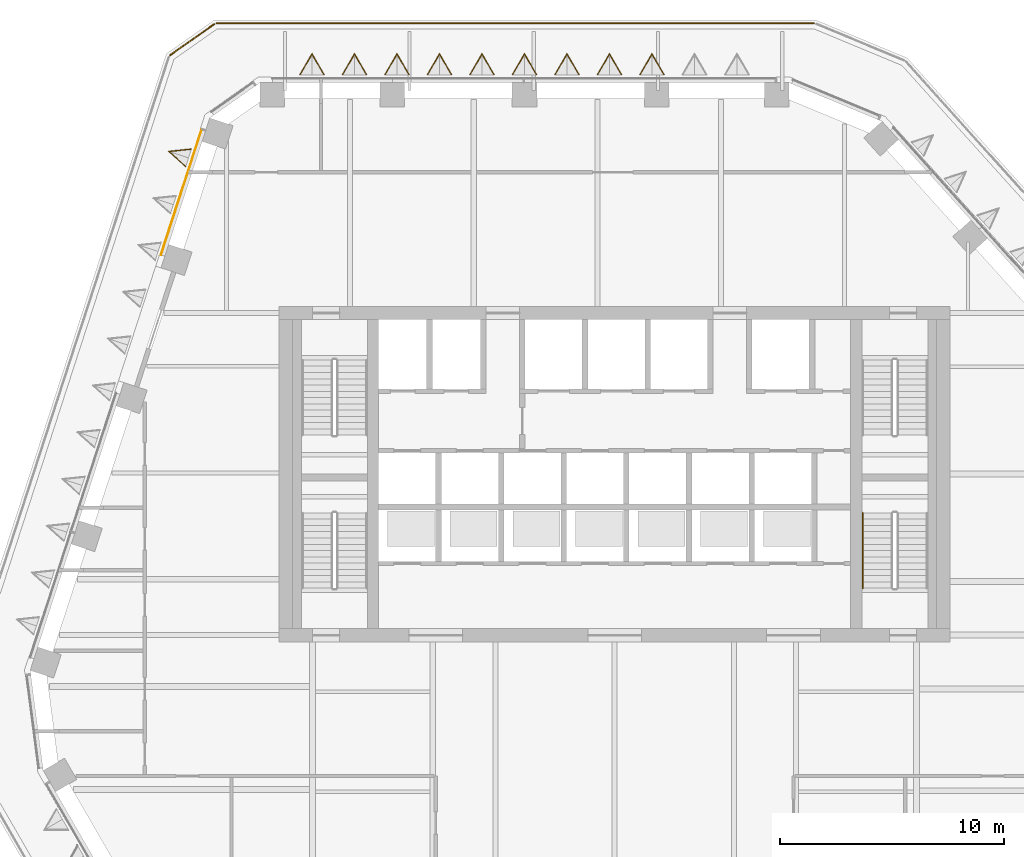
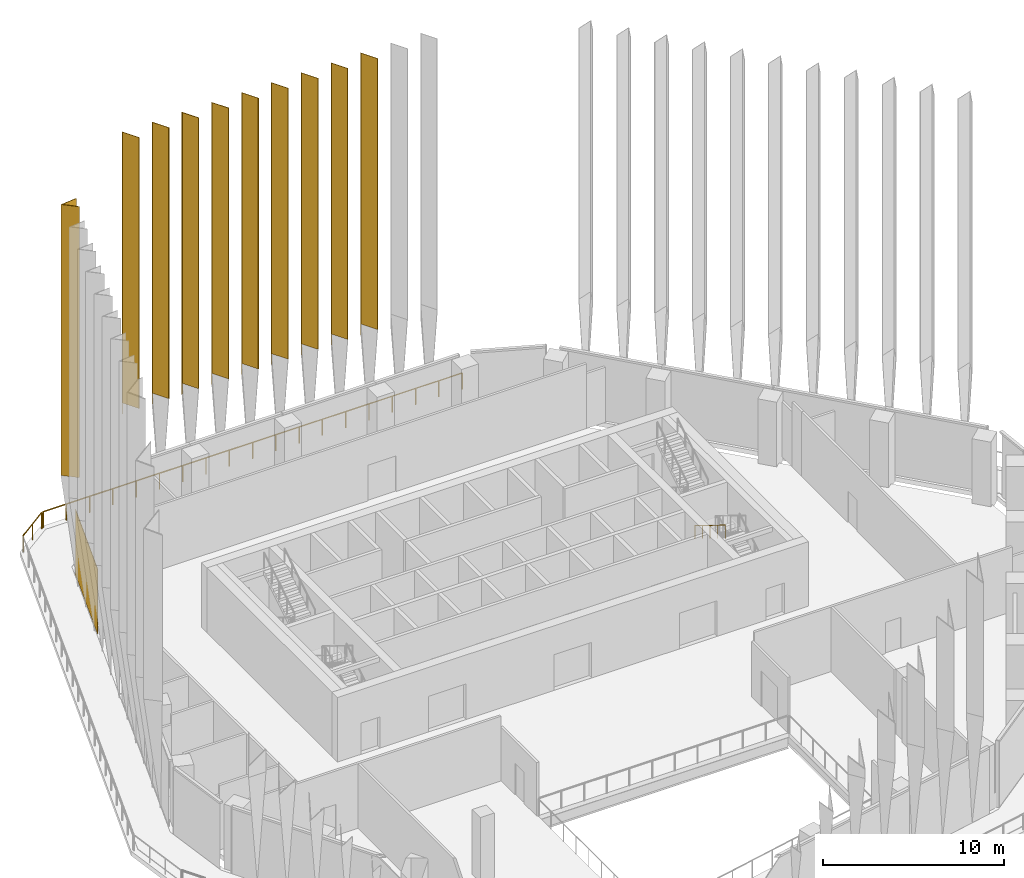
# One storey, part 16 of 21: 11 coverings, 3 railings, 1 element without a shape of its own.
"""IFC4 building model written with IfcOpenShell, lengths in metres."""

from ifc_helpers import new_model, si_unit, direction, frame, origin, origin_2d, place, context, subcontext, project, spatial, polyline, rectangle, circle, outline, extrude, material, layer, layer_set, material_profile, profile_set, type_object, element, aggregate, save


model = new_model("IFC4")

# Units and contexts
model_context = context("Model", 3, precision=1e-05, world=origin(), true_north=direction((0.0, 1.0)))
body_context = subcontext(model_context, "Body", "Model", "MODEL_VIEW")
ifc_project = project(units=[si_unit("LENGTHUNIT", "METRE"), si_unit("AREAUNIT", "SQUARE_METRE"), si_unit("VOLUMEUNIT", "CUBIC_METRE"), si_unit("PLANEANGLEUNIT", "RADIAN"), si_unit("MASSUNIT", "GRAM", prefix="KILO")], contexts=[model_context])

# Site, building, storey
site_placement = place(None, origin())
site = spatial("IfcSite", under=ifc_project, at=site_placement, CompositionType="ELEMENT")
building_placement = place(site_placement, origin())
building = spatial("IfcBuilding", under=site, at=building_placement, Name="Isthmus Gate Tower", CompositionType="ELEMENT")
storey_placement = place(building_placement, frame((0.0, 0.0, 211.800048828125)))
storey = spatial("IfcBuildingStorey", under=building, at=storey_placement, Name="L53", CompositionType="ELEMENT", Elevation=211.800048828125)

# Curtain wall, covering
ifc_material_1 = material(Name="Aluminium, pale champagne anodised", Category="aluminium")
ifc_layer_1 = layer(ifc_material_1, 0.199951171875)
ifc_layer_set_1 = layer_set([ifc_layer_1], Name="CW-1 UNITISED CURTAIN WALL 200 DEEP")
curtain_wall_type = type_object("IfcCurtainWallType", Name="CW-1 UNITISED CURTAIN WALL 200 DEEP", PredefinedType="NOTDEFINED", material=ifc_layer_set_1)
curtain_wall_placement = place(storey_placement, origin())
curtain_wall = element("IfcCurtainWall", 1, at=curtain_wall_placement, inside=storey, type_object=curtain_wall_type, Name="CW-1 NW L53", PredefinedType="NOTDEFINED")
ifc_material_2 = material(Name="Aluminium composite panel, pale champagne anodised", Category="aluminium")
ifc_layer_2 = layer(ifc_material_2, 0.031982421875)
ifc_layer_set_2 = layer_set([ifc_layer_2], Name="CW-1 PALE METAL PANEL 32")
covering_type_1 = type_object("IfcCoveringType", Name="CW-1 PALE METAL PANEL 32", PredefinedType="CLADDING", material=ifc_layer_set_2)
covering_1_placement = place(storey_placement, frame((-19.37646484375, 20.0947265625, 0.0), z_axis=(0.0, 0.0, 1.0), x_axis=(-0.309016994375, -0.951056516295, 0.0)))
covering_1 = element("IfcCovering", 2, at=covering_1_placement, type_object=covering_type_1, Name="CW-1 pale metal panel", PredefinedType="CLADDING", context=body_context, shape_type="SweptSolid", body=[
    extrude(rectangle(XDim=5.8818359375, YDim=0.031982421875, at=origin_2d()), origin(), (0.0, 0.0, 1.0), 4.3701171875),
])
aggregate(curtain_wall, [covering_1])

# Coverings
ifc_material_3 = material(Name="Structural steel ASTM A572 Gr 50, white paint system", Category="steel")
ifc_material_profile_1 = material_profile(ifc_material_3, outline(polyline([(0.0, -0.427490234375), (0.9599609375, 0.0), (0.0, 0.427490234375), (0.0, 0.39453125), (0.88623046875, 0.0), (0.0, -0.39453125), (0.0, -0.427490234375)])), Name="V960")
ifc_profile_set_1 = profile_set([ifc_material_profile_1], Name="Structural steel ASTM A572 Gr 50, white paint system")
covering_type_2 = type_object("IfcCoveringType", Name="FIN V 960 DEEP", PredefinedType="CLADDING", material=ifc_profile_set_1)
covering_2_placement = place(storey_placement, frame((-19.050048828125, 21.636474609375, 7.75), z_axis=(0.0, 0.0, 1.0), x_axis=(-0.951056516295, 0.309016994375, 0.0)))
element("IfcCovering", 3, at=covering_2_placement, inside=storey, type_object=covering_type_2, Name="FIN", ObjectType="FIN", PredefinedType="CLADDING", context=body_context, shape_type="SweptSolid", body=[
    extrude(outline(polyline([(0.0, -0.427490234375), (0.9599609375, 0.0), (0.0, 0.427490234375), (0.0, 0.39453125), (0.88623046875, 0.0), (0.0, -0.39453125), (0.0, -0.427490234375)])), origin(), (0.0, 0.0, 1.0), 18.25),
])
ifc_material_4 = material(Name="Structural steel ASTM A572 Gr 50, white paint system", Category="steel")
ifc_material_profile_2 = material_profile(ifc_material_4, outline(polyline([(0.0, -0.55419921875), (0.9599609375, 0.0), (0.0, 0.55419921875), (0.0, 0.51953125), (0.89990234375, 0.0), (0.0, -0.51953125), (0.0, -0.55419921875)])), Name="V960W")
ifc_profile_set_2 = profile_set([ifc_material_profile_2], Name="Structural steel ASTM A572 Gr 50, white paint system")
covering_type_3 = type_object("IfcCoveringType", Name="FIN V 960 DEEP WIDE", PredefinedType="CLADDING", material=ifc_profile_set_2)
for number, where, z_axis, x_axis, name in (
    (4, (1.669921875, 25.35009765625, 7.75), (0.0, 0.0, 1.0), (0.0, 1.0, 0.0), "FIN"),
    (5, (-0.22998046875, 25.35009765625, 7.75), (0.0, 0.0, 1.0), (0.0, 1.0, 0.0), "FIN"),
    (6, (-2.130126953125, 25.35009765625, 7.75), (0.0, 0.0, 1.0), (0.0, 1.0, 0.0), "FIN"),
    (7, (-4.030029296875, 25.35009765625, 7.75), (0.0, 0.0, 1.0), (0.0, 1.0, 0.0), "FIN"),
    (8, (-5.93017578125, 25.35009765625, 7.75), (0.0, 0.0, 1.0), (0.0, 1.0, 0.0), "FIN"),
    (9, (-7.830078125, 25.35009765625, 7.75), (0.0, 0.0, 1.0), (0.0, 1.0, 0.0), "FIN"),
    (10, (-9.72998046875, 25.35009765625, 7.75), (0.0, 0.0, 1.0), (0.0, 1.0, 0.0), "FIN"),
    (11, (-11.630126953125, 25.35009765625, 7.75), (0.0, 0.0, 1.0), (0.0, 1.0, 0.0), "FIN"),
    (12, (-13.530029296875, 25.35009765625, 7.75), (0.0, 0.0, 1.0), (0.0, 1.0, 0.0), "FIN"),
):
    element("IfcCovering", number, at=place(storey_placement, frame(where, z_axis=z_axis, x_axis=x_axis)), inside=storey, type_object=covering_type_3, Name=name, ObjectType="FIN", PredefinedType="CLADDING", context=body_context, shape_type="SweptSolid", body=[
        extrude(outline(polyline([(0.0, -0.55419921875), (0.9599609375, 0.0), (0.0, 0.55419921875), (0.0, 0.51953125), (0.89990234375, 0.0), (0.0, -0.51953125), (0.0, -0.55419921875)])), origin(), (0.0, 0.0, 1.0), 18.25),
    ])

# Railings
ifc_material_5 = material(Name="Stainless steel posts and toughened laminated glass", Category="steel")
railing_type_1 = type_object("IfcRailingType", Name="GUARD 1100 LEDGE GLASS", PredefinedType="GUARDRAIL", material=ifc_material_5)
railing_1_placement = place(storey_placement, frame((-19.868896484375, 26.23046875, 0.0)))
element("IfcRailing", 13, at=railing_1_placement, inside=storey, type_object=railing_type_1, Name="LEDGE GUARD", PredefinedType="GUARDRAIL", context=body_context, shape_type="SweptSolid", body=[
    extrude(circle(Radius=0.02490234375, at=origin_2d()), frame((0.0, 0.0, 1.0751953125), z_axis=(0.81788596912, 0.575380345091, 0.0), x_axis=(-0.575380345091, 0.81788596912, 0.0)), (0.0, 0.0, 1.0), 2.4072265625),
    extrude(circle(Radius=0.02490234375, at=origin_2d()), origin(), (0.0, 0.0, 1.0), 1.050048828125),
    extrude(circle(Radius=0.02490234375, at=origin_2d()), frame((0.984375, 0.6923828125, 0.0)), (0.0, 0.0, 1.0), 1.050048828125),
    extrude(circle(Radius=0.02490234375, at=origin_2d()), frame((1.96875, 1.385009765625, 0.0)), (0.0, 0.0, 1.0), 1.050048828125),
])
railing_2_placement = place(storey_placement, frame((-17.791259765625, 27.64990234375, 0.0)))
element("IfcRailing", 14, at=railing_2_placement, inside=storey, type_object=railing_type_1, Name="LEDGE GUARD", PredefinedType="GUARDRAIL", context=body_context, shape_type="SweptSolid", body=[
    extrude(circle(Radius=0.02490234375, at=origin_2d()), frame((0.0, 0.0, 1.0751953125), z_axis=(1.0, 0.0, 0.0), x_axis=(0.0, 1.0, 0.0)), (0.0, 0.0, 1.0), 26.699951171875),
    extrude(circle(Radius=0.02490234375, at=origin_2d()), origin(), (0.0, 0.0, 1.0), 1.050048828125),
    extrude(circle(Radius=0.02490234375, at=origin_2d()), frame((1.4833984375, 0.0, 0.0)), (0.0, 0.0, 1.0), 1.050048828125),
    extrude(circle(Radius=0.02490234375, at=origin_2d()), frame((2.966552734375, 0.0, 0.0)), (0.0, 0.0, 1.0), 1.050048828125),
    extrude(circle(Radius=0.02490234375, at=origin_2d()), frame((4.449951171875, 0.0, 0.0)), (0.0, 0.0, 1.0), 1.050048828125),
    extrude(circle(Radius=0.02490234375, at=origin_2d()), frame((5.933349609375, 0.0, 0.0)), (0.0, 0.0, 1.0), 1.050048828125),
    extrude(circle(Radius=0.02490234375, at=origin_2d()), frame((7.416748046875, 0.0, 0.0)), (0.0, 0.0, 1.0), 1.050048828125),
    extrude(circle(Radius=0.02490234375, at=origin_2d()), frame((8.89990234375, 0.0, 0.0)), (0.0, 0.0, 1.0), 1.050048828125),
    extrude(circle(Radius=0.02490234375, at=origin_2d()), frame((10.38330078125, 0.0, 0.0)), (0.0, 0.0, 1.0), 1.050048828125),
    extrude(circle(Radius=0.02490234375, at=origin_2d()), frame((11.86669921875, 0.0, 0.0)), (0.0, 0.0, 1.0), 1.050048828125),
    extrude(circle(Radius=0.02490234375, at=origin_2d()), frame((13.35009765625, 0.0, 0.0)), (0.0, 0.0, 1.0), 1.050048828125),
    extrude(circle(Radius=0.02490234375, at=origin_2d()), frame((14.833251953125, 0.0, 0.0)), (0.0, 0.0, 1.0), 1.050048828125),
    extrude(circle(Radius=0.02490234375, at=origin_2d()), frame((16.316650390625, 0.0, 0.0)), (0.0, 0.0, 1.0), 1.050048828125),
    extrude(circle(Radius=0.02490234375, at=origin_2d()), frame((17.800048828125, 0.0, 0.0)), (0.0, 0.0, 1.0), 1.050048828125),
    extrude(circle(Radius=0.02490234375, at=origin_2d()), frame((19.283203125, 0.0, 0.0)), (0.0, 0.0, 1.0), 1.050048828125),
    extrude(circle(Radius=0.02490234375, at=origin_2d()), frame((20.7666015625, 0.0, 0.0)), (0.0, 0.0, 1.0), 1.050048828125),
    extrude(circle(Radius=0.02490234375, at=origin_2d()), frame((22.25, 0.0, 0.0)), (0.0, 0.0, 1.0), 1.050048828125),
    extrude(circle(Radius=0.02490234375, at=origin_2d()), frame((23.7333984375, 0.0, 0.0)), (0.0, 0.0, 1.0), 1.050048828125),
    extrude(circle(Radius=0.02490234375, at=origin_2d()), frame((25.216552734375, 0.0, 0.0)), (0.0, 0.0, 1.0), 1.050048828125),
    extrude(circle(Radius=0.02490234375, at=origin_2d()), frame((26.699951171875, 0.0, 0.0)), (0.0, 0.0, 1.0), 1.050048828125),
])
ifc_material_6 = material(Name="Stainless steel handrail", Category="steel")
railing_type_2 = type_object("IfcRailingType", Name="STAIR HANDRAIL 900", PredefinedType="HANDRAIL", material=ifc_material_6)
railing_3_placement = place(storey_placement, frame((11.10009765625, 5.760009765625, 2.423095703125)))
element("IfcRailing", 15, at=railing_3_placement, inside=storey, type_object=railing_type_2, Name="L53 ST8 stair handrail 2", PredefinedType="HANDRAIL", context=body_context, shape_type="SweptSolid", body=[
    extrude(circle(Radius=0.02392578125, at=origin_2d()), frame((0.0, 0.0, 0.8759765625), z_axis=(0.0, -0.850623216509, 0.525775754039), x_axis=(1.0, 0.0, 0.0)), (0.0, 0.0, 1.0), 3.9501953125),
    extrude(circle(Radius=0.02099609375, at=origin_2d()), origin(), (0.0, 0.0, 1.0), 0.851806640625),
    extrude(circle(Radius=0.02099609375, at=origin_2d()), frame((0.0, -0.840087890625, 0.519287109375)), (0.0, 0.0, 1.0), 0.851806640625),
    extrude(circle(Radius=0.02099609375, at=origin_2d()), frame((0.0, -1.68017578125, 1.03857421875)), (0.0, 0.0, 1.0), 0.851806640625),
    extrude(circle(Radius=0.02099609375, at=origin_2d()), frame((0.0, -2.52001953125, 1.5576171875)), (0.0, 0.0, 1.0), 0.851806640625),
    extrude(circle(Radius=0.02099609375, at=origin_2d()), frame((0.0, -3.360107421875, 2.076904296875)), (0.0, 0.0, 1.0), 0.851806640625),
])

save(model, "model.ifc")
